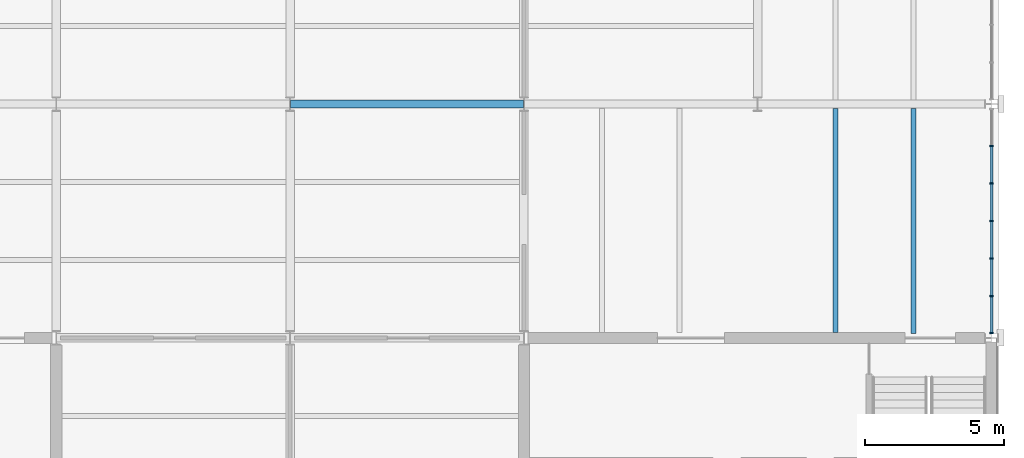
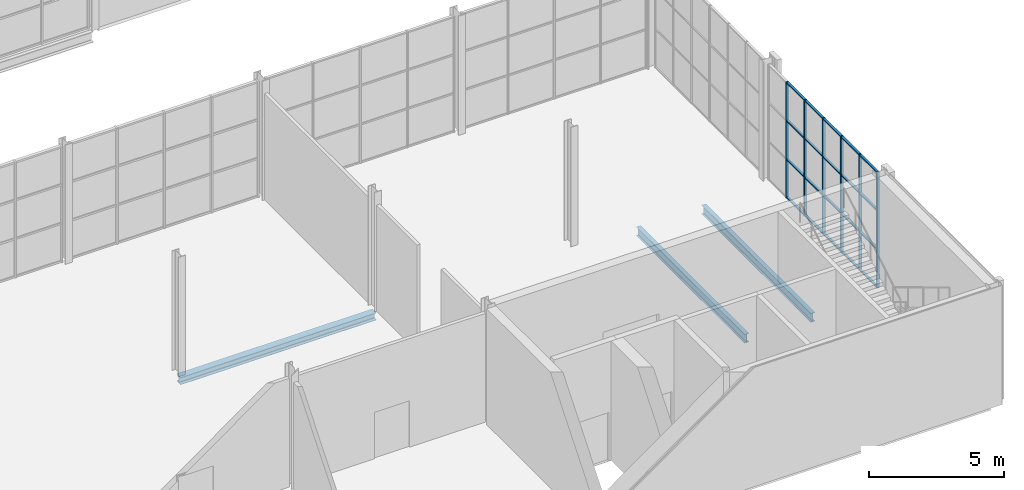
# One storey, part 23 of 64: 26 members, 3 beams, 1 element without a shape of its own.
"""IFC4 building model written with IfcOpenShell, lengths in metres."""

from ifc_helpers import new_model, si_unit, direction, frame, origin, origin_2d, place, context, subcontext, project, spatial, rectangle, i_section, extrude, material, layer, layer_set, material_profile, profile_set, type_object, element, aggregate, save


model = new_model("IFC4")

# Units and contexts
model_context = context("Model", 3, precision=1e-05, world=origin(), true_north=direction((0.0, 1.0)))
body_context = subcontext(model_context, "Body", "Model", "MODEL_VIEW")
ifc_project = project(units=[si_unit("LENGTHUNIT", "METRE"), si_unit("AREAUNIT", "SQUARE_METRE"), si_unit("VOLUMEUNIT", "CUBIC_METRE"), si_unit("PLANEANGLEUNIT", "RADIAN"), si_unit("MASSUNIT", "GRAM", prefix="KILO")], contexts=[model_context])

# Site, building, storey
site_placement = place(None, origin())
site = spatial("IfcSite", under=ifc_project, at=site_placement, CompositionType="ELEMENT")
building_placement = place(site_placement, origin())
building = spatial("IfcBuilding", under=site, at=building_placement, Name="Galleria Vessillo Department Store", CompositionType="ELEMENT")
storey_placement = place(building_placement, frame((0.0, 0.0, 6.0)))
storey = spatial("IfcBuildingStorey", under=building, at=storey_placement, Name="L01", CompositionType="ELEMENT", Elevation=6.0)

# Curtain wall, members
ifc_material_1 = material(Name="Aluminium and glass curtain wall", Category="aluminium")
ifc_layer = layer(ifc_material_1, 0.1201171875)
ifc_layer_set = layer_set([ifc_layer], Name="Aluminium and glass curtain wall")
curtain_wall_type = type_object("IfcCurtainWallType", Name="Shopfront curtain wall CW3 1400 module", PredefinedType="NOTDEFINED", material=ifc_layer_set)
curtain_wall_placement = place(storey_placement, origin())
curtain_wall = element("IfcCurtainWall", 1, at=curtain_wall_placement, inside=storey, type_object=curtain_wall_type, Name="Shopfront curtain wall CW3 1400 module SE-S-L01-01", PredefinedType="NOTDEFINED")
ifc_material_2 = material(Name="Aluminium alloy 6063 T6", Category="aluminium")
ifc_material_profile_1 = material_profile(ifc_material_2, rectangle(XDim=0.1201171875, YDim=0.050048828125, at=origin_2d()), Name="AL 50x120")
ifc_profile_set_1 = profile_set([ifc_material_profile_1], Name="Aluminium alloy 6063 T6")
member_type_1 = type_object("IfcMemberType", Name="Aluminium mullion 50 x 120", PredefinedType="MULLION", material=ifc_profile_set_1)
member_1_placement = place(storey_placement, frame((117.60009765625, 8.57470703125, 0.0), z_axis=(0.0, 0.0, 1.0), x_axis=(-1.0, 0.0, 0.0)))
member_1 = element("IfcMember", 2, at=member_1_placement, type_object=member_type_1, Name="CW3 mullion 1", PredefinedType="MULLION", context=body_context, shape_type="SweptSolid", body=[
    extrude(rectangle(XDim=0.1201171875, YDim=0.050048828125, at=origin_2d()), origin(), (0.0, 0.0, 1.0), 5.25),
])
member_2_placement = place(storey_placement, frame((117.60009765625, 9.89990234375, 0.0), z_axis=(0.0, 0.0, 1.0), x_axis=(-1.0, 0.0, 0.0)))
member_2 = element("IfcMember", 3, at=member_2_placement, type_object=member_type_1, Name="CW3 mullion 2", PredefinedType="MULLION", context=body_context, shape_type="SweptSolid", body=[
    extrude(rectangle(XDim=0.1201171875, YDim=0.050048828125, at=origin_2d()), origin(), (0.0, 0.0, 1.0), 5.25),
])
member_3_placement = place(storey_placement, frame((117.60009765625, 11.25, 0.0), z_axis=(0.0, 0.0, 1.0), x_axis=(-1.0, 0.0, 0.0)))
member_3 = element("IfcMember", 4, at=member_3_placement, type_object=member_type_1, Name="CW3 mullion 3", PredefinedType="MULLION", context=body_context, shape_type="SweptSolid", body=[
    extrude(rectangle(XDim=0.1201171875, YDim=0.050048828125, at=origin_2d()), origin(), (0.0, 0.0, 1.0), 5.25),
])
member_4_placement = place(storey_placement, frame((117.60009765625, 12.60009765625, 0.0), z_axis=(0.0, 0.0, 1.0), x_axis=(-1.0, 0.0, 0.0)))
member_4 = element("IfcMember", 5, at=member_4_placement, type_object=member_type_1, Name="CW3 mullion 4", PredefinedType="MULLION", context=body_context, shape_type="SweptSolid", body=[
    extrude(rectangle(XDim=0.1201171875, YDim=0.050048828125, at=origin_2d()), origin(), (0.0, 0.0, 1.0), 5.25),
])
member_5_placement = place(storey_placement, frame((117.60009765625, 13.949951171875, 0.0), z_axis=(0.0, 0.0, 1.0), x_axis=(-1.0, 0.0, 0.0)))
member_5 = element("IfcMember", 6, at=member_5_placement, type_object=member_type_1, Name="CW3 mullion 5", PredefinedType="MULLION", context=body_context, shape_type="SweptSolid", body=[
    extrude(rectangle(XDim=0.1201171875, YDim=0.050048828125, at=origin_2d()), origin(), (0.0, 0.0, 1.0), 5.25),
])
member_6_placement = place(storey_placement, frame((117.60009765625, 15.300048828125, 0.0), z_axis=(0.0, 0.0, 1.0), x_axis=(-1.0, 0.0, 0.0)))
member_6 = element("IfcMember", 7, at=member_6_placement, type_object=member_type_1, Name="CW3 mullion 6", PredefinedType="MULLION", context=body_context, shape_type="SweptSolid", body=[
    extrude(rectangle(XDim=0.1201171875, YDim=0.050048828125, at=origin_2d()), origin(), (0.0, 0.0, 1.0), 5.25),
])
ifc_material_3 = material(Name="Aluminium alloy 6063 T6", Category="aluminium")
ifc_material_profile_2 = material_profile(ifc_material_3, rectangle(XDim=0.10009765625, YDim=0.050048828125, at=origin_2d()), Name="AL 50x100")
ifc_profile_set_2 = profile_set([ifc_material_profile_2], Name="Aluminium alloy 6063 T6")
member_type_2 = type_object("IfcMemberType", Name="Aluminium transom 50 x 100", PredefinedType="USERDEFINED", material=ifc_profile_set_2)
member_7_placement = place(storey_placement, frame((117.60009765625, 8.599853515625, 0.02490234375), z_axis=(0.0, 1.0, 0.0), x_axis=(-1.0, 0.0, 0.0)))
member_7 = element("IfcMember", 8, at=member_7_placement, type_object=member_type_2, Name="CW3 transom 1.1", ObjectType="TRANSOM", PredefinedType="USERDEFINED", context=body_context, shape_type="SweptSolid", body=[
    extrude(rectangle(XDim=0.10009765625, YDim=0.050048828125, at=origin_2d()), origin(), (0.0, 0.0, 1.0), 1.27490234375),
])
member_8_placement = place(storey_placement, frame((117.60009765625, 8.599853515625, 1.75), z_axis=(0.0, 1.0, 0.0), x_axis=(-1.0, 0.0, 0.0)))
member_8 = element("IfcMember", 9, at=member_8_placement, type_object=member_type_2, Name="CW3 transom 1.2", ObjectType="TRANSOM", PredefinedType="USERDEFINED", context=body_context, shape_type="SweptSolid", body=[
    extrude(rectangle(XDim=0.10009765625, YDim=0.050048828125, at=origin_2d()), origin(), (0.0, 0.0, 1.0), 1.27490234375),
])
member_9_placement = place(storey_placement, frame((117.60009765625, 8.599853515625, 3.5), z_axis=(0.0, 1.0, 0.0), x_axis=(-1.0, 0.0, 0.0)))
member_9 = element("IfcMember", 10, at=member_9_placement, type_object=member_type_2, Name="CW3 transom 1.3", ObjectType="TRANSOM", PredefinedType="USERDEFINED", context=body_context, shape_type="SweptSolid", body=[
    extrude(rectangle(XDim=0.10009765625, YDim=0.050048828125, at=origin_2d()), origin(), (0.0, 0.0, 1.0), 1.27490234375),
])
member_10_placement = place(storey_placement, frame((117.60009765625, 8.599853515625, 5.22509765625), z_axis=(0.0, 1.0, 0.0), x_axis=(-1.0, 0.0, 0.0)))
member_10 = element("IfcMember", 11, at=member_10_placement, type_object=member_type_2, Name="CW3 transom 1.4", ObjectType="TRANSOM", PredefinedType="USERDEFINED", context=body_context, shape_type="SweptSolid", body=[
    extrude(rectangle(XDim=0.10009765625, YDim=0.050048828125, at=origin_2d()), origin(), (0.0, 0.0, 1.0), 1.27490234375),
])
member_11_placement = place(storey_placement, frame((117.60009765625, 9.9248046875, 0.02490234375), z_axis=(0.0, 1.0, 0.0), x_axis=(-1.0, 0.0, 0.0)))
member_11 = element("IfcMember", 12, at=member_11_placement, type_object=member_type_2, Name="CW3 transom 2.1", ObjectType="TRANSOM", PredefinedType="USERDEFINED", context=body_context, shape_type="SweptSolid", body=[
    extrude(rectangle(XDim=0.10009765625, YDim=0.050048828125, at=origin_2d()), origin(), (0.0, 0.0, 1.0), 1.300048828125),
])
member_12_placement = place(storey_placement, frame((117.60009765625, 9.9248046875, 1.75), z_axis=(0.0, 1.0, 0.0), x_axis=(-1.0, 0.0, 0.0)))
member_12 = element("IfcMember", 13, at=member_12_placement, type_object=member_type_2, Name="CW3 transom 2.2", ObjectType="TRANSOM", PredefinedType="USERDEFINED", context=body_context, shape_type="SweptSolid", body=[
    extrude(rectangle(XDim=0.10009765625, YDim=0.050048828125, at=origin_2d()), origin(), (0.0, 0.0, 1.0), 1.300048828125),
])
member_13_placement = place(storey_placement, frame((117.60009765625, 9.9248046875, 3.5), z_axis=(0.0, 1.0, 0.0), x_axis=(-1.0, 0.0, 0.0)))
member_13 = element("IfcMember", 14, at=member_13_placement, type_object=member_type_2, Name="CW3 transom 2.3", ObjectType="TRANSOM", PredefinedType="USERDEFINED", context=body_context, shape_type="SweptSolid", body=[
    extrude(rectangle(XDim=0.10009765625, YDim=0.050048828125, at=origin_2d()), origin(), (0.0, 0.0, 1.0), 1.300048828125),
])
member_14_placement = place(storey_placement, frame((117.60009765625, 9.9248046875, 5.22509765625), z_axis=(0.0, 1.0, 0.0), x_axis=(-1.0, 0.0, 0.0)))
member_14 = element("IfcMember", 15, at=member_14_placement, type_object=member_type_2, Name="CW3 transom 2.4", ObjectType="TRANSOM", PredefinedType="USERDEFINED", context=body_context, shape_type="SweptSolid", body=[
    extrude(rectangle(XDim=0.10009765625, YDim=0.050048828125, at=origin_2d()), origin(), (0.0, 0.0, 1.0), 1.300048828125),
])
member_15_placement = place(storey_placement, frame((117.60009765625, 11.27490234375, 0.02490234375), z_axis=(0.0, 1.0, 0.0), x_axis=(-1.0, 0.0, 0.0)))
member_15 = element("IfcMember", 16, at=member_15_placement, type_object=member_type_2, Name="CW3 transom 3.1", ObjectType="TRANSOM", PredefinedType="USERDEFINED", context=body_context, shape_type="SweptSolid", body=[
    extrude(rectangle(XDim=0.10009765625, YDim=0.050048828125, at=origin_2d()), origin(), (0.0, 0.0, 1.0), 1.300048828125),
])
member_16_placement = place(storey_placement, frame((117.60009765625, 11.27490234375, 1.75), z_axis=(0.0, 1.0, 0.0), x_axis=(-1.0, 0.0, 0.0)))
member_16 = element("IfcMember", 17, at=member_16_placement, type_object=member_type_2, Name="CW3 transom 3.2", ObjectType="TRANSOM", PredefinedType="USERDEFINED", context=body_context, shape_type="SweptSolid", body=[
    extrude(rectangle(XDim=0.10009765625, YDim=0.050048828125, at=origin_2d()), origin(), (0.0, 0.0, 1.0), 1.300048828125),
])
member_17_placement = place(storey_placement, frame((117.60009765625, 11.27490234375, 3.5), z_axis=(0.0, 1.0, 0.0), x_axis=(-1.0, 0.0, 0.0)))
member_17 = element("IfcMember", 18, at=member_17_placement, type_object=member_type_2, Name="CW3 transom 3.3", ObjectType="TRANSOM", PredefinedType="USERDEFINED", context=body_context, shape_type="SweptSolid", body=[
    extrude(rectangle(XDim=0.10009765625, YDim=0.050048828125, at=origin_2d()), origin(), (0.0, 0.0, 1.0), 1.300048828125),
])
member_18_placement = place(storey_placement, frame((117.60009765625, 11.27490234375, 5.22509765625), z_axis=(0.0, 1.0, 0.0), x_axis=(-1.0, 0.0, 0.0)))
member_18 = element("IfcMember", 19, at=member_18_placement, type_object=member_type_2, Name="CW3 transom 3.4", ObjectType="TRANSOM", PredefinedType="USERDEFINED", context=body_context, shape_type="SweptSolid", body=[
    extrude(rectangle(XDim=0.10009765625, YDim=0.050048828125, at=origin_2d()), origin(), (0.0, 0.0, 1.0), 1.300048828125),
])
member_19_placement = place(storey_placement, frame((117.60009765625, 12.625, 0.02490234375), z_axis=(0.0, 1.0, 0.0), x_axis=(-1.0, 0.0, 0.0)))
member_19 = element("IfcMember", 20, at=member_19_placement, type_object=member_type_2, Name="CW3 transom 4.1", ObjectType="TRANSOM", PredefinedType="USERDEFINED", context=body_context, shape_type="SweptSolid", body=[
    extrude(rectangle(XDim=0.10009765625, YDim=0.050048828125, at=origin_2d()), origin(), (0.0, 0.0, 1.0), 1.300048828125),
])
member_20_placement = place(storey_placement, frame((117.60009765625, 12.625, 1.75), z_axis=(0.0, 1.0, 0.0), x_axis=(-1.0, 0.0, 0.0)))
member_20 = element("IfcMember", 21, at=member_20_placement, type_object=member_type_2, Name="CW3 transom 4.2", ObjectType="TRANSOM", PredefinedType="USERDEFINED", context=body_context, shape_type="SweptSolid", body=[
    extrude(rectangle(XDim=0.10009765625, YDim=0.050048828125, at=origin_2d()), origin(), (0.0, 0.0, 1.0), 1.300048828125),
])
member_21_placement = place(storey_placement, frame((117.60009765625, 12.625, 3.5), z_axis=(0.0, 1.0, 0.0), x_axis=(-1.0, 0.0, 0.0)))
member_21 = element("IfcMember", 22, at=member_21_placement, type_object=member_type_2, Name="CW3 transom 4.3", ObjectType="TRANSOM", PredefinedType="USERDEFINED", context=body_context, shape_type="SweptSolid", body=[
    extrude(rectangle(XDim=0.10009765625, YDim=0.050048828125, at=origin_2d()), origin(), (0.0, 0.0, 1.0), 1.300048828125),
])
member_22_placement = place(storey_placement, frame((117.60009765625, 12.625, 5.22509765625), z_axis=(0.0, 1.0, 0.0), x_axis=(-1.0, 0.0, 0.0)))
member_22 = element("IfcMember", 23, at=member_22_placement, type_object=member_type_2, Name="CW3 transom 4.4", ObjectType="TRANSOM", PredefinedType="USERDEFINED", context=body_context, shape_type="SweptSolid", body=[
    extrude(rectangle(XDim=0.10009765625, YDim=0.050048828125, at=origin_2d()), origin(), (0.0, 0.0, 1.0), 1.300048828125),
])
member_23_placement = place(storey_placement, frame((117.60009765625, 13.97509765625, 0.02490234375), z_axis=(0.0, 1.0, 0.0), x_axis=(-1.0, 0.0, 0.0)))
member_23 = element("IfcMember", 24, at=member_23_placement, type_object=member_type_2, Name="CW3 transom 5.1", ObjectType="TRANSOM", PredefinedType="USERDEFINED", context=body_context, shape_type="SweptSolid", body=[
    extrude(rectangle(XDim=0.10009765625, YDim=0.050048828125, at=origin_2d()), origin(), (0.0, 0.0, 1.0), 1.300048828125),
])
member_24_placement = place(storey_placement, frame((117.60009765625, 13.97509765625, 1.75), z_axis=(0.0, 1.0, 0.0), x_axis=(-1.0, 0.0, 0.0)))
member_24 = element("IfcMember", 25, at=member_24_placement, type_object=member_type_2, Name="CW3 transom 5.2", ObjectType="TRANSOM", PredefinedType="USERDEFINED", context=body_context, shape_type="SweptSolid", body=[
    extrude(rectangle(XDim=0.10009765625, YDim=0.050048828125, at=origin_2d()), origin(), (0.0, 0.0, 1.0), 1.300048828125),
])
member_25_placement = place(storey_placement, frame((117.60009765625, 13.97509765625, 3.5), z_axis=(0.0, 1.0, 0.0), x_axis=(-1.0, 0.0, 0.0)))
member_25 = element("IfcMember", 26, at=member_25_placement, type_object=member_type_2, Name="CW3 transom 5.3", ObjectType="TRANSOM", PredefinedType="USERDEFINED", context=body_context, shape_type="SweptSolid", body=[
    extrude(rectangle(XDim=0.10009765625, YDim=0.050048828125, at=origin_2d()), origin(), (0.0, 0.0, 1.0), 1.300048828125),
])
member_26_placement = place(storey_placement, frame((117.60009765625, 13.97509765625, 5.22509765625), z_axis=(0.0, 1.0, 0.0), x_axis=(-1.0, 0.0, 0.0)))
member_26 = element("IfcMember", 27, at=member_26_placement, type_object=member_type_2, Name="CW3 transom 5.4", ObjectType="TRANSOM", PredefinedType="USERDEFINED", context=body_context, shape_type="SweptSolid", body=[
    extrude(rectangle(XDim=0.10009765625, YDim=0.050048828125, at=origin_2d()), origin(), (0.0, 0.0, 1.0), 1.300048828125),
])
aggregate(curtain_wall, [member_1, member_2, member_3, member_4, member_5, member_6, member_7, member_8, member_9, member_10, member_11, member_12, member_13, member_14, member_15, member_16, member_17, member_18, member_19, member_20, member_21, member_22, member_23, member_24, member_25, member_26])

# Beams
ifc_material_4 = material(Name="Steel S355 J2", Category="steel")
ifc_material_profile_3 = material_profile(ifc_material_4, i_section(OverallWidth=0.179931640625, OverallDepth=0.39990234375, WebThickness=0.008544921875, FlangeThickness=0.013427734375, FilletRadius=0.02099609375, at=origin_2d()), Name="IPE 400")
ifc_profile_set_3 = profile_set([ifc_material_profile_3], Name="Steel S355 J2")
beam_type_1 = type_object("IfcBeamType", Name="Floor joist IPE 400", PredefinedType="JOIST", material=ifc_profile_set_3)
beam_1_placement = place(storey_placement, frame((112.0, 8.60009765625, -0.349853515625), z_axis=(0.0, 1.0, 0.0), x_axis=(-1.0, 0.0, 0.0)))
element("IfcBeam", 28, at=beam_1_placement, inside=storey, type_object=beam_type_1, Name="S-BM-L01-JO-y112000-8600", PredefinedType="JOIST", context=body_context, shape_type="SweptSolid", body=[
    extrude(i_section(OverallWidth=0.179931640625, OverallDepth=0.39990234375, WebThickness=0.008544921875, FlangeThickness=0.013427734375, FilletRadius=0.02099609375, at=origin_2d()), origin(), (0.0, 0.0, 1.0), 8.0498046875),
])
beam_2_placement = place(storey_placement, frame((114.800048828125, 8.550048828125, -0.349853515625), z_axis=(0.0, 1.0, 0.0), x_axis=(-1.0, 0.0, 0.0)))
element("IfcBeam", 29, at=beam_2_placement, inside=storey, type_object=beam_type_1, Name="S-BM-L01-JO-y114800-8550", PredefinedType="JOIST", context=body_context, shape_type="SweptSolid", body=[
    extrude(i_section(OverallWidth=0.179931640625, OverallDepth=0.39990234375, WebThickness=0.008544921875, FlangeThickness=0.013427734375, FilletRadius=0.02099609375, at=origin_2d()), origin(), (0.0, 0.0, 1.0), 8.099853515625),
])
ifc_material_5 = material(Name="Steel S355 J2", Category="steel")
ifc_material_profile_4 = material_profile(ifc_material_5, i_section(OverallWidth=0.300048828125, OverallDepth=0.330078125, WebThickness=0.009521484375, FlangeThickness=0.0166015625, FilletRadius=0.027099609375, at=origin_2d()), Name="HEA 340")
ifc_profile_set_4 = profile_set([ifc_material_profile_4], Name="Steel S355 J2")
beam_type_2 = type_object("IfcBeamType", Name="Floor tie girder HEA 340", PredefinedType="BEAM", material=ifc_profile_set_4)
beam_3_placement = place(storey_placement, frame((92.407470703125, 16.800048828125, -0.31494140625), z_axis=(1.0, 0.0, 0.0), x_axis=(0.0, 1.0, 0.0)))
element("IfcBeam", 30, at=beam_3_placement, inside=storey, type_object=beam_type_2, Name="S-BM-L01-TI-x16800-92407", PredefinedType="BEAM", context=body_context, shape_type="SweptSolid", body=[
    extrude(i_section(OverallWidth=0.300048828125, OverallDepth=0.330078125, WebThickness=0.009521484375, FlangeThickness=0.0166015625, FilletRadius=0.027099609375, at=origin_2d()), origin(), (0.0, 0.0, 1.0), 8.38525390625),
])

save(model, "model.ifc")
